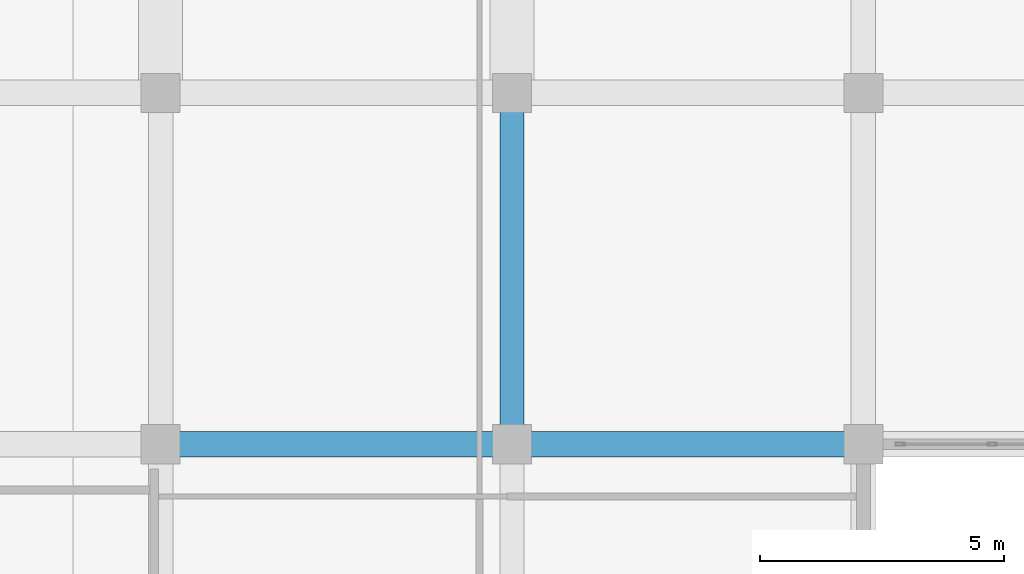
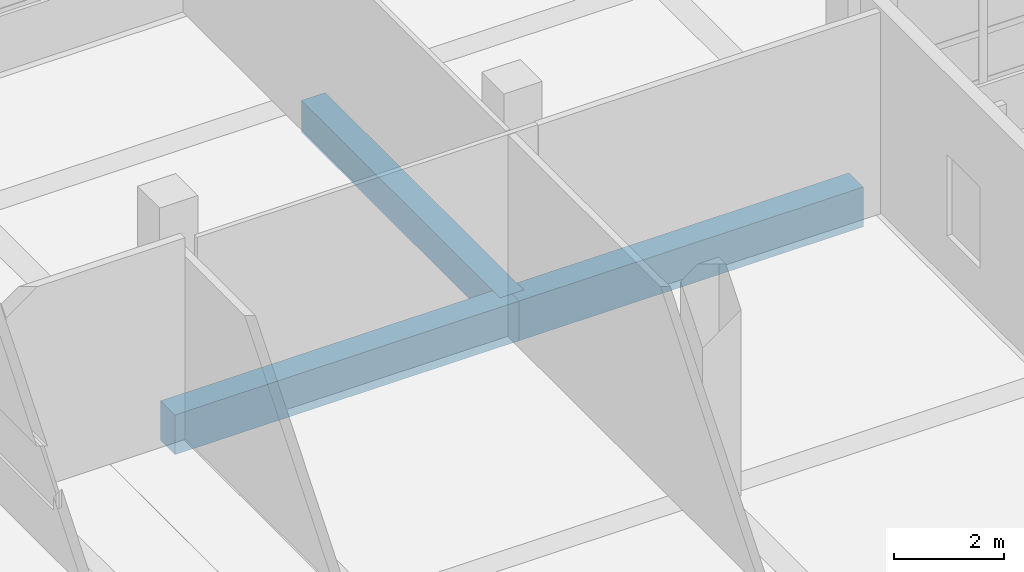
# One storey, part 61 of 140: 3 beams.
"""IFC4 building model written with IfcOpenShell, lengths in metres."""

import ifcopenshell
import ifcopenshell.guid

model = None  # the IFC model being written
_history = None  # IfcOwnerHistory: only IFC2X3 demands one
_inside = {}  # id of a spatial element -> (the spatial element, [elements in it])
_under = {}  # id of a project, library or spatial element -> (it, [spatial elements below it])
_declared = {}  # id of a project -> (the project, [libraries it declares])
_typed = {}  # id of a type object -> (the type object, [elements of that type])
_made_of = {}  # id of a material, layer set ... -> (it, [elements and type objects made of it])


def new_model(schema):
    """Start an empty IFC model of exactly this schema.

    Asked for "IFC4X3", IfcOpenShell would pick the latest addendum, in which some entities
    have other attributes; the version numbers below select the first issue.
    IFC2X3 requires an IfcOwnerHistory on every rooted entity: one is made here for all.
    """
    global model, _history
    if schema == "IFC4X3":
        model = ifcopenshell.file(schema_version=(4, 3, 0, 0))
    else:
        model = ifcopenshell.file(schema=schema)
    _inside.clear()
    _under.clear()
    _declared.clear()
    _typed.clear()
    _made_of.clear()
    _history = None
    if model.schema == "IFC2X3":
        org = make("IfcOrganization", Name="unknown")
        user = make(
            "IfcPersonAndOrganization",
            ThePerson=make("IfcPerson", FamilyName="unknown"),
            TheOrganization=org,
        )
        app = make(
            "IfcApplication",
            ApplicationDeveloper=org,
            Version="unknown",
            ApplicationFullName="unknown",
            ApplicationIdentifier="unknown",
        )
        _history = make(
            "IfcOwnerHistory",
            OwningUser=user,
            OwningApplication=app,
            ChangeAction="ADDED",
            CreationDate=0,
        )
    return model


def make(cls, **values):
    """One entity of the class cls with the attributes given. An attribute that is None is left unset."""
    return model.create_entity(
        cls, **{name: value for name, value in values.items() if value is not None}
    )


def rooted(cls, **values):
    """An entity with a GlobalId (a new one), such as an element, a storey or a relation."""
    return make(cls, GlobalId=ifcopenshell.guid.new(), OwnerHistory=_history, **values)


def si_unit(unit_type, name, prefix=None):
    """IfcSIUnit, for example si_unit("LENGTHUNIT", "METRE", prefix="MILLI")."""
    return make("IfcSIUnit", UnitType=unit_type, Prefix=prefix, Name=name)


def assignment(units):
    """IfcUnitAssignment: the units of a project."""
    return None if units is None else make("IfcUnitAssignment", Units=units)


def point(xyz):
    """IfcCartesianPoint."""
    return None if xyz is None else make("IfcCartesianPoint", Coordinates=xyz)


def direction(xyz):
    """IfcDirection."""
    return None if xyz is None else make("IfcDirection", DirectionRatios=xyz)


def frame(location, z_axis=None, x_axis=None):
    """IfcAxis2Placement3D, a coordinate frame: its origin and axes. An axis left out is left unset."""
    return make(
        "IfcAxis2Placement3D",
        Location=point(location),
        Axis=direction(z_axis),
        RefDirection=direction(x_axis),
    )


def frame_2d(location, x_axis=None):
    """IfcAxis2Placement2D, a coordinate frame in the plane: its origin and x axis."""
    return make(
        "IfcAxis2Placement2D", Location=point(location), RefDirection=direction(x_axis)
    )


def origin():
    """The frame at (0, 0, 0) with its axes left unset."""
    return frame((0.0, 0.0, 0.0))


def origin_2d():
    """The frame at (0, 0) in the plane with its x axis left unset."""
    return frame_2d((0.0, 0.0))


def place(relative_to, where):
    """IfcLocalPlacement: puts the frame where relative to a parent placement (None: the world)."""
    return make(
        "IfcLocalPlacement", PlacementRelTo=relative_to, RelativePlacement=where
    )


def context(
    kind, dimensions, precision=None, world=None, true_north=None, identifier=None
):
    """IfcGeometricRepresentationContext, for example the 3D "Model" context."""
    return make(
        "IfcGeometricRepresentationContext",
        ContextIdentifier=identifier,
        ContextType=kind,
        CoordinateSpaceDimension=dimensions,
        Precision=precision,
        WorldCoordinateSystem=world,
        TrueNorth=true_north,
    )


def subcontext(parent, identifier, kind, view, scale=None):
    """IfcGeometricRepresentationSubContext, for example "Body" below "Model"."""
    return make(
        "IfcGeometricRepresentationSubContext",
        ContextIdentifier=identifier,
        ContextType=kind,
        ParentContext=parent,
        TargetScale=scale,
        TargetView=view,
    )


def project(units=None, contexts=None):
    """IfcProject with its units and contexts."""
    return rooted(
        "IfcProject",
        Name="project",
        RepresentationContexts=contexts,
        UnitsInContext=assignment(units),
    )


def spatial(cls, under=None, at=None, **own):
    """A site, building, storey or space (cls), placed at a placement, below another one or the project."""
    s = rooted(cls, ObjectPlacement=at, **own)
    if under is not None:
        _under.setdefault(under.id(), (under, []))[1].append(s)
    return s


def profile(cls, at=None, kind="AREA", **sizes):
    """A parametric profile (cls). Its sizes go by their IFC names, for example OverallWidth=200.0."""
    return make(cls, ProfileType=kind, Position=at, **sizes)


def rectangle(**sizes):
    """IfcRectangleProfileDef."""
    return profile("IfcRectangleProfileDef", **sizes)


def extrude(swept, where, along, depth):
    """IfcExtrudedAreaSolid: the profile swept, set in the frame where, extruded along a direction by depth."""
    return make(
        "IfcExtrudedAreaSolid",
        SweptArea=swept,
        Position=where,
        ExtrudedDirection=direction(along),
        Depth=depth,
    )


def shape(context_of_items, identifier, shape_type, items):
    """IfcShapeRepresentation: the items that make up one representation, for example the "Body"."""
    return make(
        "IfcShapeRepresentation",
        ContextOfItems=context_of_items,
        RepresentationIdentifier=identifier,
        RepresentationType=shape_type,
        Items=items,
    )


def material(Name=None, Category=None):
    """IfcMaterial."""
    return make("IfcMaterial", Name=Name, Category=Category)


def material_profile(
    of_material, cross_section, Name=None, Category=None, Priority=None
):
    """IfcMaterialProfile: a cross section and its material."""
    return make(
        "IfcMaterialProfile",
        Name=Name,
        Material=of_material,
        Profile=cross_section,
        Priority=Priority,
        Category=Category,
    )


def profile_set(profiles, Name=None, composite=None):
    """IfcMaterialProfileSet."""
    return make(
        "IfcMaterialProfileSet",
        Name=Name,
        MaterialProfiles=profiles,
        CompositeProfile=composite,
    )


def made_of(thing, what):
    """Note that an element or type object is made of a material, layer set ...; save() writes the relation."""
    if what is not None:
        _made_of.setdefault(what.id(), (what, []))[1].append(thing)
    return thing


def type_object(cls, material=None, **own):
    """A type object (cls), such as IfcWallType, which elements share."""
    return made_of(rooted(cls, **own), material)


def element(
    cls,
    number,
    at=None,
    inside=None,
    cuts=None,
    type_object=None,
    material=None,
    context=None,
    identifier="Body",
    shape_type=None,
    held_by="IfcProductDefinitionShape",
    body=None,
    shapes=None,
    **own,
):
    """One element of the class cls, such as IfcWall. Its Tag is "e" and its number.

    at: its placement. inside: the storey or other place that contains it. cuts: it is an
    opening in that element (IfcRelVoidsElement). A single representation is given by context,
    identifier, shape_type and body (its items); several are given by shapes. held_by: the class
    of the entity that holds the representations. save() writes the other relations.
    """
    e = rooted(cls, Tag="e%d" % number, ObjectPlacement=at, **own)
    if body is not None:
        shapes = [shape(context, identifier, shape_type, body)]
    if shapes is not None:
        e.Representation = make(held_by, Representations=shapes)
    if inside is not None:
        _inside.setdefault(inside.id(), (inside, []))[1].append(e)
    if cuts is not None:
        rooted(
            "IfcRelVoidsElement", RelatingBuildingElement=cuts, RelatedOpeningElement=e
        )
    if type_object is not None:
        _typed.setdefault(type_object.id(), (type_object, []))[1].append(e)
    return made_of(e, material)


def aggregate(whole, parts):
    """IfcRelAggregates: a whole, such as a stair, and the parts it consists of."""
    return rooted("IfcRelAggregates", RelatingObject=whole, RelatedObjects=parts)


def save(model, path):
    """Write the relations noted so far, then the file.

    IfcRelAggregates (storeys below a building ...), IfcRelContainedInSpatialStructure (elements
    in a storey), IfcRelDefinesByType, IfcRelAssociatesMaterial and IfcRelDeclares: one each for
    every whole, place, type object, material and project.
    """
    for whole, parts in _under.values():
        aggregate(whole, parts)
    for where, things in _inside.values():
        rooted(
            "IfcRelContainedInSpatialStructure",
            RelatedElements=things,
            RelatingStructure=where,
        )
    for kind, things in _typed.values():
        rooted("IfcRelDefinesByType", RelatedObjects=things, RelatingType=kind)
    for what, things in _made_of.values():
        rooted("IfcRelAssociatesMaterial", RelatedObjects=things, RelatingMaterial=what)
    for by, libraries in _declared.values():
        rooted("IfcRelDeclares", RelatingContext=by, RelatedDefinitions=libraries)
    model.write(path)


model = new_model("IFC4")

# Units and contexts
model_context = context("Model", 3, precision=1e-05, world=origin(), true_north=direction((0.0, 1.0)))
body_context = subcontext(model_context, "Body", "Model", "MODEL_VIEW")
ifc_project = project(units=[si_unit("LENGTHUNIT", "METRE"), si_unit("AREAUNIT", "SQUARE_METRE"), si_unit("VOLUMEUNIT", "CUBIC_METRE"), si_unit("PLANEANGLEUNIT", "RADIAN"), si_unit("MASSUNIT", "GRAM", prefix="KILO")], contexts=[model_context])

# Site, building, storey
site_placement = place(None, origin())
site = spatial("IfcSite", under=ifc_project, at=site_placement, CompositionType="ELEMENT")
building_placement = place(site_placement, origin())
building = spatial("IfcBuilding", under=site, at=building_placement, Name="Seraya Terrace Polytechnic", CompositionType="ELEMENT")
storey_placement = place(building_placement, frame((0.0, 0.0, 9.60009765625)))
storey = spatial("IfcBuildingStorey", under=building, at=storey_placement, Name="L02", CompositionType="ELEMENT", Elevation=9.60009765625)

# Beams
ifc_material = material(Name="Concrete C40/50", Category="concrete")
ifc_material_profile_1 = material_profile(ifc_material, rectangle(XDim=0.52001953125, YDim=0.8798828125, at=origin_2d()), Name="RC 520x880")
ifc_profile_set_1 = profile_set([ifc_material_profile_1], Name="Concrete C40/50")
beam_type_1 = type_object("IfcBeamType", Name="BM-04", PredefinedType="BEAM", material=ifc_profile_set_1)
for number, where, z_axis, x_axis, name in (
    (1, (28.800048828125, 64.800048828125, -0.440185546875), (1.0, 0.0, 0.0), (0.0, 1.0, 0.0), "Beam BM-04 L02 X (28.8..36.0, 64.8)"),
    (2, (36.0, 64.800048828125, -0.440185546875), (1.0, 0.0, 0.0), (0.0, 1.0, 0.0), "Beam BM-04 L02 X (36.0..43.2, 64.8)"),
):
    element("IfcBeam", number, at=place(storey_placement, frame(where, z_axis=z_axis, x_axis=x_axis)), inside=storey, type_object=beam_type_1, Name=name, PredefinedType="BEAM", context=body_context, shape_type="SweptSolid", body=[
        extrude(rectangle(XDim=0.52001953125, YDim=0.8798828125, at=origin_2d()), origin(), (0.0, 0.0, 1.0), 7.199951171875),
    ])
ifc_material_profile_2 = material_profile(ifc_material, rectangle(XDim=0.5, YDim=0.699951171875, at=origin_2d()), Name="RC 500x700")
ifc_profile_set_2 = profile_set([ifc_material_profile_2], Name="Concrete C40/50")
beam_type_2 = type_object("IfcBeamType", Name="BM-07", PredefinedType="BEAM", material=ifc_profile_set_2)
beam_placement = place(storey_placement, frame((36.0, 64.800048828125, -0.35009765625), z_axis=(0.0, 1.0, 0.0), x_axis=(-1.0, 0.0, 0.0)))
element("IfcBeam", 3, at=beam_placement, inside=storey, type_object=beam_type_2, Name="Beam BM-07 L02 Y (36.0, 64.8..72.0)", PredefinedType="BEAM", context=body_context, shape_type="SweptSolid", body=[
    extrude(rectangle(XDim=0.5, YDim=0.699951171875, at=origin_2d()), origin(), (0.0, 0.0, 1.0), 7.199951171875),
])

save(model, "model.ifc")
